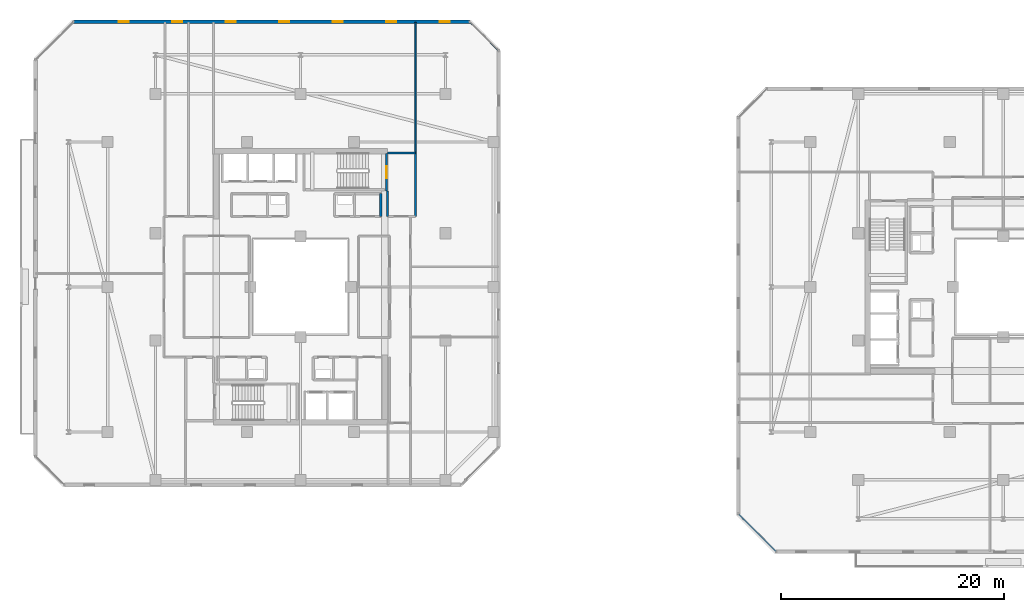
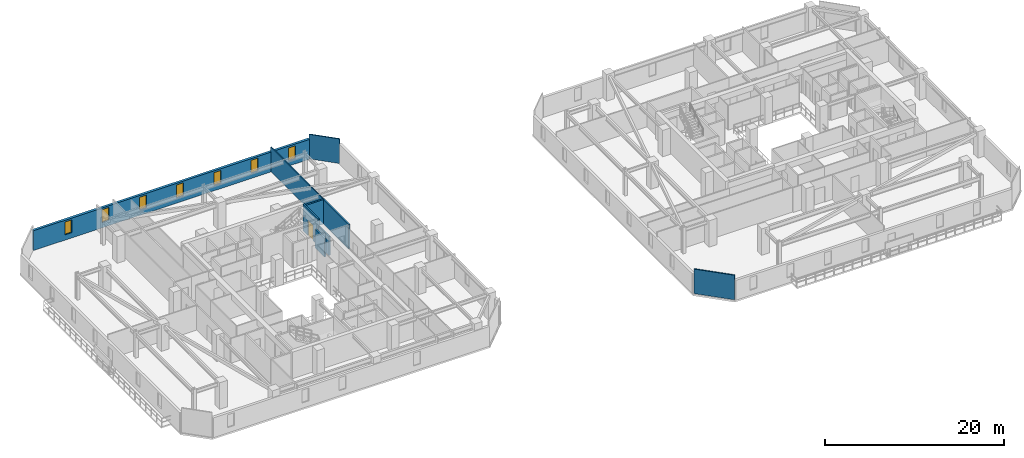
# One storey, part 22 of 33: 9 walls, 7 windows, 1 door, 8 openings.
"""IFC4 building model written with IfcOpenShell, lengths in metres."""

from ifc_helpers import new_model, si_unit, direction, frame, frame_2d, origin, place, context, subcontext, project, spatial, rectangle, extrude, material, layer, layer_set, type_object, element, fill, save


model = new_model("IFC4")

# Units and contexts
model_context = context("Model", 3, precision=1e-05, world=origin(), true_north=direction((0.0, 1.0)))
body_context = subcontext(model_context, "Body", "Model", "MODEL_VIEW")
ifc_project = project(units=[si_unit("LENGTHUNIT", "METRE"), si_unit("AREAUNIT", "SQUARE_METRE"), si_unit("VOLUMEUNIT", "CUBIC_METRE"), si_unit("PLANEANGLEUNIT", "RADIAN"), si_unit("MASSUNIT", "GRAM", prefix="KILO")], contexts=[model_context])

# Site, building, storey
site_placement = place(None, origin())
site = spatial("IfcSite", under=ifc_project, at=site_placement, CompositionType="ELEMENT")
building_placement = place(site_placement, origin())
building = spatial("IfcBuilding", under=site, at=building_placement, Name="Thornwick Lancets Civic Towers", CompositionType="ELEMENT")
storey_placement = place(building_placement, frame((0.0, 0.0, 210.89990234375)))
storey = spatial("IfcBuildingStorey", under=building, at=storey_placement, Name="L56", CompositionType="ELEMENT", Elevation=210.89990234375)

# Walls
ifc_material_1 = material(Name="Concrete blockwork C40/50", Category="masonry")
ifc_layer_1 = layer(ifc_material_1, 0.199951171875, Name="Concrete blockwork C40/50")
ifc_layer_set_1 = layer_set([ifc_layer_1], Name="Concrete blockwork C40/50")
wall_type_1 = type_object("IfcWallType", Name="WALL_COMP_200", PredefinedType="STANDARD", material=ifc_layer_set_1)
wall_1_placement = place(storey_placement, frame((35.800048828125, 33.300048828125, 0.0), z_axis=(0.0, 0.0, 1.0), x_axis=(0.0, 1.0, 0.0)))
element("IfcWall", 1, at=wall_1_placement, inside=storey, type_object=wall_type_1, Name="L56 Partition L56-A-FFLOB2 E2", PredefinedType="STANDARD", context=body_context, shape_type="SweptSolid", body=[
    extrude(rectangle(XDim=5.699951171875, YDim=0.199951171875, at=frame_2d((2.85009765625, 0.0))), origin(), (0.0, 0.0, 1.0), 3.340087890625),
])
wall_2_placement = place(storey_placement, frame((35.800048828125, 39.0, 0.0), z_axis=(0.0, 0.0, 1.0), x_axis=(-1.0, 0.0, 0.0)))
element("IfcWall", 2, at=wall_2_placement, inside=storey, type_object=wall_type_1, Name="L56 Partition L56-A-FFLOB2 E3", PredefinedType="STANDARD", context=body_context, shape_type="SweptSolid", body=[
    extrude(rectangle(XDim=2.5, YDim=0.199951171875, at=frame_2d((1.25, 0.0))), origin(), (0.0, 0.0, 1.0), 3.340087890625),
])
wall_3_placement = place(storey_placement, frame((33.300048828125, 35.60009765625, 0.0), z_axis=(0.0, 0.0, 1.0), x_axis=(0.0, -1.0, 0.0)))
element("IfcWall", 3, at=wall_3_placement, inside=storey, type_object=wall_type_1, Name="L56 Partition L56-A-FFLOB2 E4", PredefinedType="STANDARD", context=body_context, shape_type="SweptSolid", body=[
    extrude(rectangle(XDim=2.300048828125, YDim=0.199951171875, at=frame_2d((1.14990234375, 0.0))), origin(), (0.0, 0.0, 1.0), 2.545166015625),
])
wall_4_placement = place(storey_placement, frame((32.699951171875, 35.35009765625, 0.0), z_axis=(0.0, 0.0, 1.0), x_axis=(0.0, -1.0, 0.0)))
element("IfcWall", 4, at=wall_4_placement, inside=storey, type_object=wall_type_1, Name="L56 Partition L56-A-STR E1", PredefinedType="STANDARD", context=body_context, shape_type="SweptSolid", body=[
    extrude(rectangle(XDim=2.050048828125, YDim=0.199951171875, at=frame_2d((1.02490234375, 0.0))), origin(), (0.0, 0.0, 1.0), 2.545166015625),
])

# Wall, openings, windows
ifc_material_2 = material(Name="Insulated buff terracotta rainscreen on concrete C40/50", Category="masonry")
ifc_layer_2 = layer(ifc_material_2, 0.320068359375, Name="Insulated buff terracotta rainscreen on concrete C40/50")
ifc_layer_set_2 = layer_set([ifc_layer_2], Name="Insulated buff terracotta rainscreen on concrete C40/50")
wall_type_2 = type_object("IfcWallType", Name="WALL_EXT_TERRA_320", PredefinedType="STANDARD", material=ifc_layer_set_2)
wall_5_placement = place(storey_placement, frame((40.681396484375, 50.7646484375, 0.0), z_axis=(0.0, 0.0, 1.0), x_axis=(-0.999999997144, -7.5574884e-05, 0.0)))
wall_5 = element("IfcWall", 5, at=wall_5_placement, inside=storey, type_object=wall_type_2, Name="L56 Tower A Terracotta Facade Wall E4", PredefinedType="STANDARD", context=body_context, shape_type="SweptSolid", body=[
    extrude(rectangle(XDim=35.534912109375, YDim=0.320068359375, at=frame_2d((17.767578125, 0.0))), origin(), (0.0, 0.0, 1.0), 2.7001953125),
])
opening_1_placement = place(wall_5_placement, frame((1.800048828125, 0.0, 0.719970703125)))
opening_1 = element("IfcOpeningElement", 6, at=opening_1_placement, cuts=wall_5, Name="Opening WL-01", PredefinedType="OPENING", context=body_context, shape_type="SweptSolid", body=[
    extrude(rectangle(XDim=0.89990234375, YDim=1.75, at=frame_2d((0.449951171875, 0.875))), frame((0.0, 0.169921875, 0.0), z_axis=(0.0, -1.0, 0.0), x_axis=(1.0, 0.0, 0.0)), (0.0, 0.0, 1.0), 0.340087890625),
])
opening_2_placement = place(wall_5_placement, frame((6.60009765625, 0.0, 0.719970703125)))
opening_2 = element("IfcOpeningElement", 7, at=opening_2_placement, cuts=wall_5, Name="Opening WL-01", PredefinedType="OPENING", context=body_context, shape_type="SweptSolid", body=[
    extrude(rectangle(XDim=0.89990234375, YDim=1.75, at=frame_2d((0.449951171875, 0.875))), frame((0.0, 0.169921875, 0.0), z_axis=(0.0, -1.0, 0.0), x_axis=(1.0, 0.0, 0.0)), (0.0, 0.0, 1.0), 0.340087890625),
])
opening_3_placement = place(wall_5_placement, frame((11.39990234375, 0.0, 0.719970703125)))
opening_3 = element("IfcOpeningElement", 8, at=opening_3_placement, cuts=wall_5, Name="Opening WL-01", PredefinedType="OPENING", context=body_context, shape_type="SweptSolid", body=[
    extrude(rectangle(XDim=0.89990234375, YDim=1.75, at=frame_2d((0.449951171875, 0.875))), frame((0.0, 0.169921875, 0.0), z_axis=(0.0, -1.0, 0.0), x_axis=(1.0, 0.0, 0.0)), (0.0, 0.0, 1.0), 0.340087890625),
])
opening_4_placement = place(wall_5_placement, frame((16.199951171875, 0.0, 0.719970703125)))
opening_4 = element("IfcOpeningElement", 9, at=opening_4_placement, cuts=wall_5, Name="Opening WL-01", PredefinedType="OPENING", context=body_context, shape_type="SweptSolid", body=[
    extrude(rectangle(XDim=0.89990234375, YDim=1.75, at=frame_2d((0.449951171875, 0.875))), frame((0.0, 0.169921875, 0.0), z_axis=(0.0, -1.0, 0.0), x_axis=(1.0, 0.0, 0.0)), (0.0, 0.0, 1.0), 0.340087890625),
])
opening_5_placement = place(wall_5_placement, frame((21.0, 0.0, 0.719970703125)))
opening_5 = element("IfcOpeningElement", 10, at=opening_5_placement, cuts=wall_5, Name="Opening WL-01", PredefinedType="OPENING", context=body_context, shape_type="SweptSolid", body=[
    extrude(rectangle(XDim=0.89990234375, YDim=1.75, at=frame_2d((0.449951171875, 0.875))), frame((0.0, 0.169921875, 0.0), z_axis=(0.0, -1.0, 0.0), x_axis=(1.0, 0.0, 0.0)), (0.0, 0.0, 1.0), 0.340087890625),
])
opening_6_placement = place(wall_5_placement, frame((25.800048828125, 0.0, 0.719970703125)))
opening_6 = element("IfcOpeningElement", 11, at=opening_6_placement, cuts=wall_5, Name="Opening WL-01", PredefinedType="OPENING", context=body_context, shape_type="SweptSolid", body=[
    extrude(rectangle(XDim=0.89990234375, YDim=1.75, at=frame_2d((0.449951171875, 0.875))), frame((0.0, 0.169921875, 0.0), z_axis=(0.0, -1.0, 0.0), x_axis=(1.0, 0.0, 0.0)), (0.0, 0.0, 1.0), 0.340087890625),
])
opening_7_placement = place(wall_5_placement, frame((30.60009765625, 0.0, 0.719970703125)))
opening_7 = element("IfcOpeningElement", 12, at=opening_7_placement, cuts=wall_5, Name="Opening WL-01", PredefinedType="OPENING", context=body_context, shape_type="SweptSolid", body=[
    extrude(rectangle(XDim=0.89990234375, YDim=1.75, at=frame_2d((0.449951171875, 0.875))), frame((0.0, 0.169921875, 0.0), z_axis=(0.0, -1.0, 0.0), x_axis=(1.0, 0.0, 0.0)), (0.0, 0.0, 1.0), 0.340087890625),
])
ifc_material_3 = material(Name="Clear low-e double glazing in bronze frame", Category="glass")
window_type = type_object("IfcWindowType", Name="WIN_LANCET_900", PartitioningType="SINGLE_PANEL", PredefinedType="WINDOW", material=ifc_material_3)
window_1_placement = place(opening_1_placement, origin())
window_1 = element("IfcWindow", 13, at=window_1_placement, inside=storey, type_object=window_type, Name="L56 Tower A Staggered Lancet Window E4-1", OverallHeight=1.75, OverallWidth=0.89990234375, PartitioningType="SINGLE_PANEL", PredefinedType="WINDOW", context=body_context, shape_type="SweptSolid", body=[
    extrude(rectangle(XDim=0.89990234375, YDim=1.75, at=frame_2d((0.449951171875, 0.875))), frame((0.0, 0.030029296875, 0.0), z_axis=(0.0, -1.0, 0.0), x_axis=(1.0, 0.0, 0.0)), (0.0, 0.0, 1.0), 0.06005859375),
])
fill(opening_1, window_1)
window_2_placement = place(opening_2_placement, origin())
window_2 = element("IfcWindow", 14, at=window_2_placement, inside=storey, type_object=window_type, Name="L56 Tower A Staggered Lancet Window E4-2", OverallHeight=1.75, OverallWidth=0.89990234375, PartitioningType="SINGLE_PANEL", PredefinedType="WINDOW", context=body_context, shape_type="SweptSolid", body=[
    extrude(rectangle(XDim=0.89990234375, YDim=1.75, at=frame_2d((0.449951171875, 0.875))), frame((0.0, 0.030029296875, 0.0), z_axis=(0.0, -1.0, 0.0), x_axis=(1.0, 0.0, 0.0)), (0.0, 0.0, 1.0), 0.06005859375),
])
fill(opening_2, window_2)
window_3_placement = place(opening_3_placement, origin())
window_3 = element("IfcWindow", 15, at=window_3_placement, inside=storey, type_object=window_type, Name="L56 Tower A Staggered Lancet Window E4-3", OverallHeight=1.75, OverallWidth=0.89990234375, PartitioningType="SINGLE_PANEL", PredefinedType="WINDOW", context=body_context, shape_type="SweptSolid", body=[
    extrude(rectangle(XDim=0.89990234375, YDim=1.75, at=frame_2d((0.449951171875, 0.875))), frame((0.0, 0.030029296875, 0.0), z_axis=(0.0, -1.0, 0.0), x_axis=(1.0, 0.0, 0.0)), (0.0, 0.0, 1.0), 0.06005859375),
])
fill(opening_3, window_3)
window_4_placement = place(opening_4_placement, origin())
window_4 = element("IfcWindow", 16, at=window_4_placement, inside=storey, type_object=window_type, Name="L56 Tower A Staggered Lancet Window E4-4", OverallHeight=1.75, OverallWidth=0.89990234375, PartitioningType="SINGLE_PANEL", PredefinedType="WINDOW", context=body_context, shape_type="SweptSolid", body=[
    extrude(rectangle(XDim=0.89990234375, YDim=1.75, at=frame_2d((0.449951171875, 0.875))), frame((0.0, 0.030029296875, 0.0), z_axis=(0.0, -1.0, 0.0), x_axis=(1.0, 0.0, 0.0)), (0.0, 0.0, 1.0), 0.06005859375),
])
fill(opening_4, window_4)
window_5_placement = place(opening_5_placement, origin())
window_5 = element("IfcWindow", 17, at=window_5_placement, inside=storey, type_object=window_type, Name="L56 Tower A Staggered Lancet Window E4-5", OverallHeight=1.75, OverallWidth=0.89990234375, PartitioningType="SINGLE_PANEL", PredefinedType="WINDOW", context=body_context, shape_type="SweptSolid", body=[
    extrude(rectangle(XDim=0.89990234375, YDim=1.75, at=frame_2d((0.449951171875, 0.875))), frame((0.0, 0.030029296875, 0.0), z_axis=(0.0, -1.0, 0.0), x_axis=(1.0, 0.0, 0.0)), (0.0, 0.0, 1.0), 0.06005859375),
])
fill(opening_5, window_5)
window_6_placement = place(opening_6_placement, origin())
window_6 = element("IfcWindow", 18, at=window_6_placement, inside=storey, type_object=window_type, Name="L56 Tower A Staggered Lancet Window E4-6", OverallHeight=1.75, OverallWidth=0.89990234375, PartitioningType="SINGLE_PANEL", PredefinedType="WINDOW", context=body_context, shape_type="SweptSolid", body=[
    extrude(rectangle(XDim=0.89990234375, YDim=1.75, at=frame_2d((0.449951171875, 0.875))), frame((0.0, 0.030029296875, 0.0), z_axis=(0.0, -1.0, 0.0), x_axis=(1.0, 0.0, 0.0)), (0.0, 0.0, 1.0), 0.06005859375),
])
fill(opening_6, window_6)
window_7_placement = place(opening_7_placement, origin())
window_7 = element("IfcWindow", 19, at=window_7_placement, inside=storey, type_object=window_type, Name="L56 Tower A Staggered Lancet Window E4-7", OverallHeight=1.75, OverallWidth=0.89990234375, PartitioningType="SINGLE_PANEL", PredefinedType="WINDOW", context=body_context, shape_type="SweptSolid", body=[
    extrude(rectangle(XDim=0.89990234375, YDim=1.75, at=frame_2d((0.449951171875, 0.875))), frame((0.0, 0.030029296875, 0.0), z_axis=(0.0, -1.0, 0.0), x_axis=(1.0, 0.0, 0.0)), (0.0, 0.0, 1.0), 0.06005859375),
])
fill(opening_7, window_7)

# Walls
ifc_material_4 = material(Name="Acoustic gypsum board partition")
ifc_layer_3 = layer(ifc_material_4, 0.1201171875, Name="Acoustic gypsum board partition")
ifc_layer_set_3 = layer_set([ifc_layer_3], Name="Acoustic gypsum board partition")
wall_type_3 = type_object("IfcWallType", Name="WALL_PART_120", PredefinedType="PARTITIONING", material=ifc_layer_set_3)
wall_6_placement = place(storey_placement, frame((35.800048828125, 39.0, 0.0), z_axis=(0.0, 0.0, 1.0), x_axis=(0.0, 1.0, 0.0)))
element("IfcWall", 20, at=wall_6_placement, inside=storey, type_object=wall_type_3, Name="L56 Partition L56-A-E3 E3", PredefinedType="PARTITIONING", context=body_context, shape_type="SweptSolid", body=[
    extrude(rectangle(XDim=11.719970703125, YDim=0.1201171875, at=frame_2d((5.85986328125, 0.0))), origin(), (0.0, 0.0, 1.0), 3.340087890625),
])
wall_7_placement = place(storey_placement, frame((40.725341796875, 50.719970703125, 0.0), z_axis=(0.0, 0.0, 1.0), x_axis=(0.707106781187, -0.707106781187, 0.0)))
element("IfcWall", 21, at=wall_7_placement, inside=storey, type_object=wall_type_3, Name="L56 Partition L56-A-E3 E5", PredefinedType="PARTITIONING", context=body_context, shape_type="SweptSolid", body=[
    extrude(rectangle(XDim=3.52783203125, YDim=0.1201171875, at=frame_2d((1.763916015625, 0.0))), origin(), (0.0, 0.0, 1.0), 3.340087890625),
])
ifc_material_5 = material(Name="Twin-stud acoustic gypsum board")
ifc_layer_4 = layer(ifc_material_5, 0.14990234375, Name="Twin-stud acoustic gypsum board")
ifc_layer_set_4 = layer_set([ifc_layer_4], Name="Twin-stud acoustic gypsum board")
wall_type_4 = type_object("IfcWallType", Name="WALL_PART_150", PredefinedType="PARTITIONING", material=ifc_layer_set_4)
wall_8_placement = place(storey_placement, frame((68.105712890625, 3.280029296875, 0.0), z_axis=(0.0, 0.0, 1.0), x_axis=(-0.707106781187, 0.707106781187, 0.0)))
element("IfcWall", 22, at=wall_8_placement, inside=storey, type_object=wall_type_4, Name="L56 Partition L56-B-W2 E2", PredefinedType="PARTITIONING", context=body_context, shape_type="SweptSolid", body=[
    extrude(rectangle(XDim=4.703125, YDim=0.14990234375, at=frame_2d((2.3515625, 0.0))), origin(), (0.0, 0.0, 1.0), 3.340087890625),
])

# Wall, opening, door
ifc_material_6 = material(Name="Concrete C40/50", Category="concrete")
ifc_layer_5 = layer(ifc_material_6, 0.199951171875, Name="Concrete C40/50")
ifc_layer_set_5 = layer_set([ifc_layer_5], Name="Concrete C40/50")
wall_type_5 = type_object("IfcWallType", Name="WALL_SHAFT_200", PredefinedType="SHEAR", material=ifc_layer_set_5)
wall_9_placement = place(storey_placement, frame((33.199951171875, 38.949951171875, 0.0), z_axis=(0.0, 0.0, 1.0), x_axis=(0.0, -1.0, 0.0)))
wall_9 = element("IfcWall", 23, at=wall_9_placement, inside=storey, type_object=wall_type_5, Name="L56 ST-A2 Fire Stair Core Wall NEAR", PredefinedType="SHEAR", context=body_context, shape_type="SweptSolid", body=[
    extrude(rectangle(XDim=3.349853515625, YDim=0.199951171875, at=frame_2d((1.6748046875, 0.0))), origin(), (0.0, 0.0, 1.0), 3.60009765625),
])
opening_8_placement = place(wall_9_placement, frame((1.125, 0.0, 0.0)))
opening_8 = element("IfcOpeningElement", 24, at=opening_8_placement, cuts=wall_9, Name="Opening D-ST-A2-L56", PredefinedType="OPENING", context=body_context, shape_type="SweptSolid", body=[
    extrude(rectangle(XDim=1.10009765625, YDim=2.10009765625, at=frame_2d((0.550048828125, 1.050048828125))), frame((0.0, 0.10986328125, 0.0), z_axis=(0.0, -1.0, 0.0), x_axis=(1.0, 0.0, 0.0)), (0.0, 0.0, 1.0), 0.219970703125),
])
ifc_material_7 = material(Name="Fire-resisting steel and hardwood", Category="steel")
door_type = type_object("IfcDoorType", Name="DOOR_STAIR_FD60", OperationType="NOTDEFINED", PredefinedType="DOOR", material=ifc_material_7)
door_placement = place(opening_8_placement, origin())
door = element("IfcDoor", 25, at=door_placement, inside=storey, type_object=door_type, Name="L56 ST-A2 Exit Stair Door", OperationType="SINGLE_SWING_LEFT", OverallHeight=2.10009765625, OverallWidth=1.10009765625, PredefinedType="DOOR", context=body_context, shape_type="SweptSolid", body=[
    extrude(rectangle(XDim=1.10009765625, YDim=2.10009765625, at=frame_2d((0.550048828125, 1.050048828125))), frame((0.0, 0.02490234375, 0.0), z_axis=(0.0, -1.0, 0.0), x_axis=(1.0, 0.0, 0.0)), (0.0, 0.0, 1.0), 0.050048828125),
])
fill(opening_8, door)

save(model, "model.ifc")
